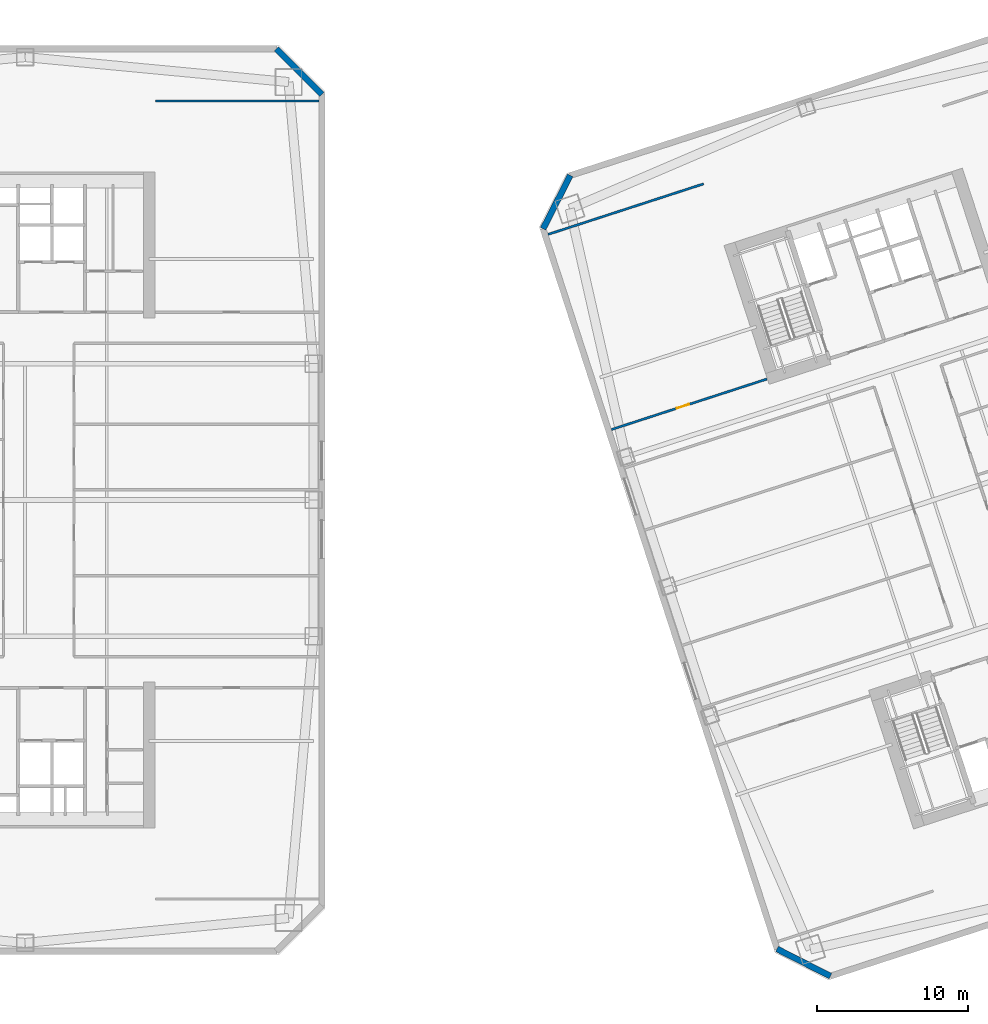
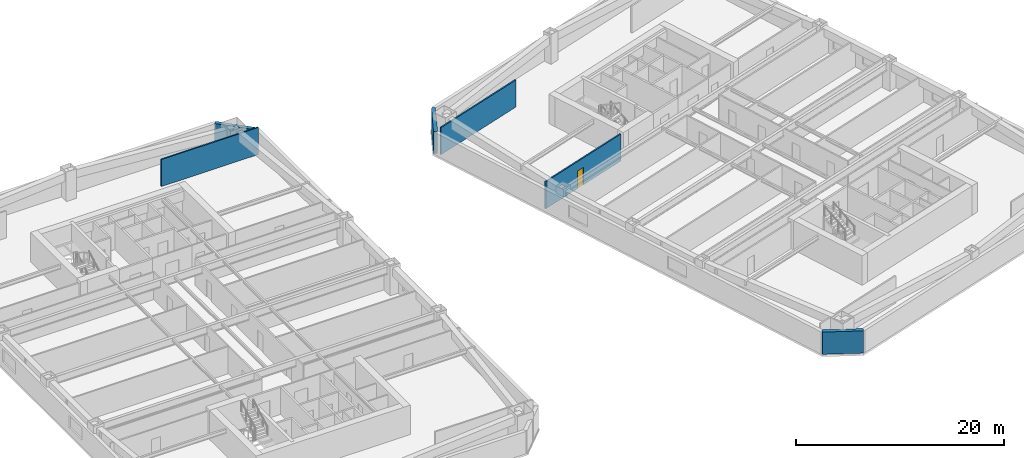
# One storey, part 6 of 11: 6 walls, 1 door, 1 opening.
"""IFC4 building model written with IfcOpenShell, lengths in metres."""

from ifc_helpers import new_model, si_unit, direction, frame, frame_2d, origin, place, context, subcontext, project, spatial, rectangle, extrude, material, layer, layer_set, type_object, element, fill, save


model = new_model("IFC4")

# Units and contexts
model_context = context("Model", 3, precision=1e-05, world=origin(), true_north=direction((0.0, 1.0)))
body_context = subcontext(model_context, "Body", "Model", "MODEL_VIEW")
ifc_project = project(units=[si_unit("LENGTHUNIT", "METRE"), si_unit("AREAUNIT", "SQUARE_METRE"), si_unit("VOLUMEUNIT", "CUBIC_METRE"), si_unit("PLANEANGLEUNIT", "RADIAN"), si_unit("MASSUNIT", "GRAM", prefix="KILO")], contexts=[model_context])

# Site, building, storey
site_placement = place(None, origin())
site = spatial("IfcSite", under=ifc_project, at=site_placement, CompositionType="ELEMENT")
building_placement = place(site_placement, origin())
building = spatial("IfcBuilding", under=site, at=building_placement, Name="Qiaolan Cultural Towers", CompositionType="ELEMENT")
storey_placement = place(building_placement, frame((0.0, 0.0, 64.39990234375)))
storey = spatial("IfcBuildingStorey", under=building, at=storey_placement, Name="L15", CompositionType="ELEMENT", Elevation=64.39990234375)

# Walls
ifc_material_1 = material(Name="Precast Concrete C50 Honed Stone Pier", Category="masonry")
ifc_layer_1 = layer(ifc_material_1, 0.39990234375)
ifc_layer_set_1 = layer_set([ifc_layer_1], Name="Precast Concrete C50 Honed Stone Pier")
wall_type_1 = type_object("IfcWallType", Name="WL-EXT-PIER-400", PredefinedType="SOLIDWALL", material=ifc_layer_set_1)
wall_1_placement = place(storey_placement, frame((46.60009765625, 63.800048828125, 0.0), z_axis=(0.0, 0.0, 1.0), x_axis=(0.707106781187, -0.707106781187, 0.0)))
element("IfcWall", 1, at=wall_1_placement, inside=storey, type_object=wall_type_1, Name="L15 West Tower Precast Pier Facade Wall F4", PredefinedType="SOLIDWALL", context=body_context, shape_type="SweptSolid", body=[
    extrude(rectangle(XDim=4.24267578125, YDim=0.39990234375, at=frame_2d((2.121337890625, 0.0))), origin(), (0.0, 0.0, 1.0), 2.610107421875),
])
for number, where, z_axis, x_axis, name in (
    (2, (64.20458984375, 51.905029296875, 0.0), (0.0, 0.0, 1.0), (0.453958106755, 0.891023028497, 0.0), "L15 East Tower Precast Pier Facade Wall F2"),
    (3, (83.18359375, 2.554443359375, 0.0), (0.0, 0.0, 1.0), (-0.890998089617, 0.454007053137, 0.0), "L15 East Tower Precast Pier Facade Wall F8"),
):
    element("IfcWall", number, at=place(storey_placement, frame(where, z_axis=z_axis, x_axis=x_axis)), inside=storey, type_object=wall_type_1, Name=name, PredefinedType="SOLIDWALL", context=body_context, shape_type="SweptSolid", body=[
        extrude(rectangle(XDim=3.9599609375, YDim=0.39990234375, at=frame_2d((1.97998046875, 0.0))), origin(), (0.0, 0.0, 1.0), 2.610107421875),
    ])
ifc_material_2 = material(Name="Autoclaved Aerated Concrete Block B06", Category="concrete")
ifc_layer_2 = layer(ifc_material_2, 0.14990234375)
ifc_layer_set_2 = layer_set([ifc_layer_2], Name="Autoclaved Aerated Concrete Block B06")
wall_type_2 = type_object("IfcWallType", Name="WL-PART-150", PredefinedType="PARTITIONING", material=ifc_layer_set_2)
wall_2_placement = place(storey_placement, frame((38.60009765625, 60.35009765625, 0.0), z_axis=(0.0, 0.0, 1.0), x_axis=(1.0, 0.0, 0.0)))
element("IfcWall", 4, at=wall_2_placement, inside=storey, type_object=wall_type_2, Name="L15 T1 Flank Wall FLK-NE", PredefinedType="PARTITIONING", context=body_context, shape_type="SweptSolid", body=[
    extrude(rectangle(XDim=10.7998046875, YDim=0.14990234375, at=frame_2d((5.39990234375, 0.0))), origin(), (0.0, 0.0, 1.0), 3.175048828125),
])
wall_3_placement = place(storey_placement, frame((64.53369140625, 51.538818359375, 0.0), z_axis=(0.0, 0.0, 1.0), x_axis=(0.951056658866, 0.309016555588, 0.0)))
element("IfcWall", 5, at=wall_3_placement, inside=storey, type_object=wall_type_2, Name="L15 T2 Flank Wall FLK-NW", PredefinedType="PARTITIONING", context=body_context, shape_type="SweptSolid", body=[
    extrude(rectangle(XDim=10.800048828125, YDim=0.14990234375, at=frame_2d((5.39990234375, 0.0))), origin(), (0.0, 0.0, 1.0), 3.175048828125),
])

# Wall, opening, door
wall_4_placement = place(storey_placement, frame((68.720947265625, 38.652099609375, 0.0), z_axis=(0.0, 0.0, 1.0), x_axis=(0.951056658866, 0.309016555588, 0.0)))
wall_4 = element("IfcWall", 6, at=wall_4_placement, inside=storey, type_object=wall_type_2, Name="L15 T2 Flank Front FLK-NW", PredefinedType="PARTITIONING", context=body_context, shape_type="SweptSolid", body=[
    extrude(rectangle(XDim=10.800048828125, YDim=0.14990234375, at=frame_2d((5.39990234375, 0.0))), origin(), (0.0, 0.0, 1.0), 3.175048828125),
])
opening_placement = place(wall_4_placement, frame((4.535888671875, 0.0, 0.0)))
opening = element("IfcOpeningElement", 7, at=opening_placement, cuts=wall_4, Name="Opening ID-09", PredefinedType="OPENING", context=body_context, shape_type="SweptSolid", body=[
    extrude(rectangle(XDim=0.85009765625, YDim=2.050048828125, at=frame_2d((0.425048828125, 1.02490234375))), frame((0.0, 0.0849609375, 0.0), z_axis=(0.0, -1.0, 0.0), x_axis=(1.0, 0.0, 0.0)), (0.0, 0.0, 1.0), 0.169921875),
])
ifc_material_3 = material(Name="Moisture-Resistant Laminate Utility Door", Category="timber")
door_type = type_object("IfcDoorType", Name="DR-INT-850", OperationType="NOTDEFINED", PredefinedType="DOOR", material=ifc_material_3)
door_placement = place(opening_placement, origin())
door = element("IfcDoor", 8, at=door_placement, inside=storey, type_object=door_type, Name="L15 T2 Corner Studio Door", OperationType="SINGLE_SWING_LEFT", OverallHeight=2.050048828125, OverallWidth=0.85009765625, PredefinedType="DOOR", context=body_context, shape_type="SweptSolid", body=[
    extrude(rectangle(XDim=0.85009765625, YDim=2.050048828125, at=frame_2d((0.425048828125, 1.02490234375))), frame((0.0, 0.02490234375, 0.0), z_axis=(0.0, -1.0, 0.0), x_axis=(1.0, 0.0, 0.0)), (0.0, 0.0, 1.0), 0.050048828125),
])
fill(opening, door)

save(model, "model.ifc")
